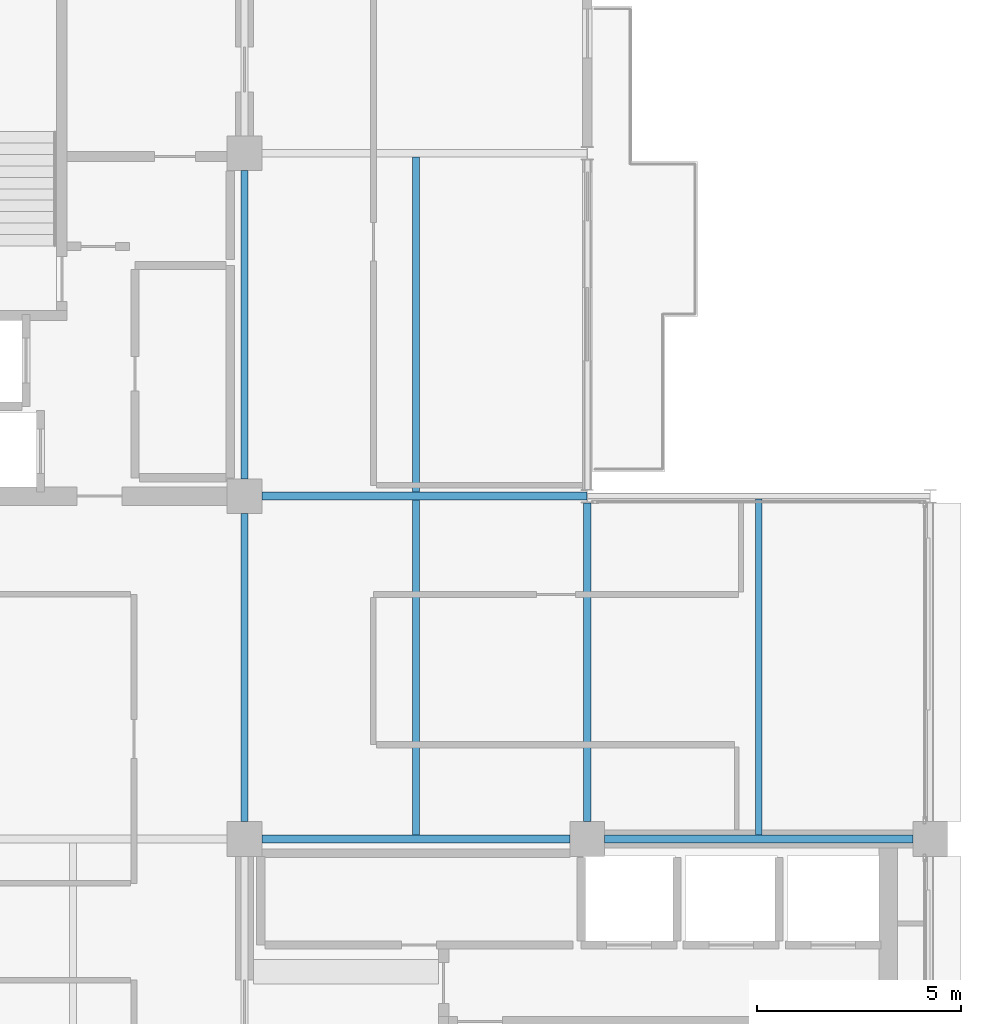
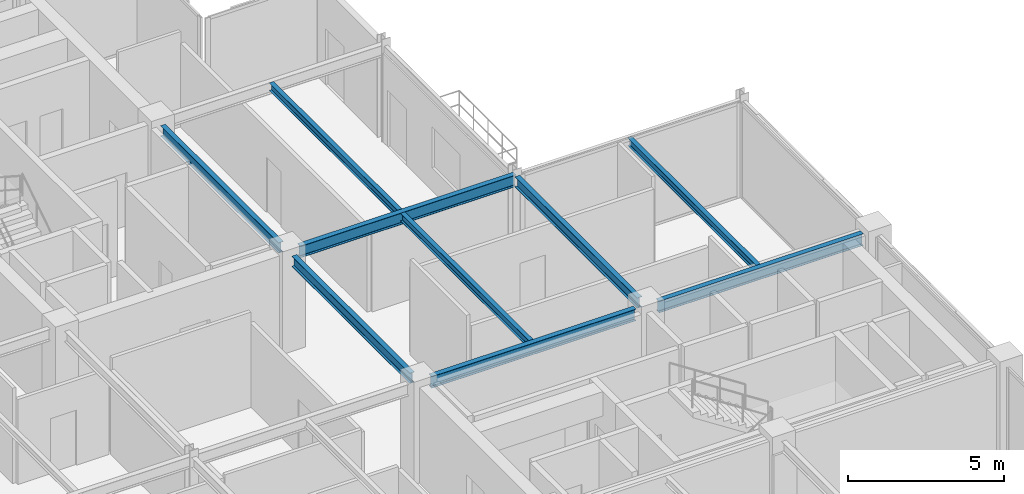
# One storey, part 12 of 25: 9 beams.
"""IFC4 building model written with IfcOpenShell, lengths in metres."""

from ifc_helpers import new_model, si_unit, direction, frame, origin, origin_2d, place, context, subcontext, project, spatial, i_section, extrude, material, material_profile, profile_set, type_object, element, save


model = new_model("IFC4")

# Units and contexts
model_context = context("Model", 3, precision=1e-05, world=origin(), true_north=direction((0.0, 1.0)))
body_context = subcontext(model_context, "Body", "Model", "MODEL_VIEW")
ifc_project = project(units=[si_unit("LENGTHUNIT", "METRE"), si_unit("AREAUNIT", "SQUARE_METRE"), si_unit("VOLUMEUNIT", "CUBIC_METRE"), si_unit("PLANEANGLEUNIT", "RADIAN"), si_unit("MASSUNIT", "GRAM", prefix="KILO")], contexts=[model_context])

# Site, building, storey
site_placement = place(None, origin())
site = spatial("IfcSite", under=ifc_project, at=site_placement, CompositionType="ELEMENT")
building_placement = place(site_placement, origin())
building = spatial("IfcBuilding", under=site, at=building_placement, Name="Nerrivon Quay Data Exchange", CompositionType="ELEMENT")
storey_placement = place(building_placement, frame((0.0, 0.0, 302.199951171875)))
storey = spatial("IfcBuildingStorey", under=building, at=storey_placement, Name="L72", CompositionType="ELEMENT", Elevation=302.199951171875)

# Beams
ifc_material = material(Name="Steel Grade 350", Category="steel")
ifc_material_profile_1 = material_profile(ifc_material, i_section(OverallWidth=0.18994140625, OverallDepth=0.4541015625, WebThickness=0.008544921875, FlangeThickness=0.0126953125, FilletRadius=0.011474609375, at=origin_2d()), Name="460UB67.1")
ifc_profile_set_1 = profile_set([ifc_material_profile_1], Name="Steel Grade 350")
beam_type_1 = type_object("IfcBeamType", Name="BM-G6-460UB67", PredefinedType="BEAM", material=ifc_profile_set_1)
beam_1_placement = place(storey_placement, frame((17.22509765625, 16.800048828125, 3.498046875), z_axis=(1.0, 0.0, 0.0), x_axis=(0.0, 1.0, 0.0)))
element("IfcBeam", 1, at=beam_1_placement, inside=storey, type_object=beam_type_1, Name="L72 EW Girder Y=16.8 (16.8..25.2)", PredefinedType="BEAM", context=body_context, shape_type="SweptSolid", body=[
    extrude(i_section(OverallWidth=0.18994140625, OverallDepth=0.4541015625, WebThickness=0.008544921875, FlangeThickness=0.0126953125, FilletRadius=0.011474609375, at=origin_2d()), origin(), (0.0, 0.0, 1.0), 7.5498046875),
])
beam_2_placement = place(storey_placement, frame((25.625, 16.800048828125, 3.498046875), z_axis=(1.0, 0.0, 0.0), x_axis=(0.0, 1.0, 0.0)))
element("IfcBeam", 2, at=beam_2_placement, inside=storey, type_object=beam_type_1, Name="L72 EW Girder Y=16.8 (25.2..33.6)", PredefinedType="BEAM", context=body_context, shape_type="SweptSolid", body=[
    extrude(i_section(OverallWidth=0.18994140625, OverallDepth=0.4541015625, WebThickness=0.008544921875, FlangeThickness=0.0126953125, FilletRadius=0.011474609375, at=origin_2d()), origin(), (0.0, 0.0, 1.0), 7.550048828125),
])
beam_3_placement = place(storey_placement, frame((17.22509765625, 25.199951171875, 3.498046875), z_axis=(1.0, 0.0, 0.0), x_axis=(0.0, 1.0, 0.0)))
element("IfcBeam", 3, at=beam_3_placement, inside=storey, type_object=beam_type_1, Name="L72 EW Girder Y=25.2 (16.8..25.2)", PredefinedType="BEAM", context=body_context, shape_type="SweptSolid", body=[
    extrude(i_section(OverallWidth=0.18994140625, OverallDepth=0.4541015625, WebThickness=0.008544921875, FlangeThickness=0.0126953125, FilletRadius=0.011474609375, at=origin_2d()), origin(), (0.0, 0.0, 1.0), 7.967041015625),
])
ifc_material_profile_2 = material_profile(ifc_material, i_section(OverallWidth=0.177978515625, OverallDepth=0.406005859375, WebThickness=0.0078125, FlangeThickness=0.0126953125, FilletRadius=0.011474609375, at=origin_2d()), Name="410UB59.7")
ifc_profile_set_2 = profile_set([ifc_material_profile_2], Name="Steel Grade 350")
beam_type_2 = type_object("IfcBeamType", Name="BM-J1-410UB60", PredefinedType="JOIST", material=ifc_profile_set_2)
beam_4_placement = place(storey_placement, frame((16.800048828125, 17.22509765625, 3.52197265625), z_axis=(0.0, 1.0, 0.0), x_axis=(-1.0, 0.0, 0.0)))
element("IfcBeam", 4, at=beam_4_placement, inside=storey, type_object=beam_type_2, Name="L72 NS Girder X=16.8 (16.8..25.2)", PredefinedType="JOIST", context=body_context, shape_type="SweptSolid", body=[
    extrude(i_section(OverallWidth=0.177978515625, OverallDepth=0.406005859375, WebThickness=0.0078125, FlangeThickness=0.0126953125, FilletRadius=0.011474609375, at=origin_2d()), origin(), (0.0, 0.0, 1.0), 7.5498046875),
])
beam_5_placement = place(storey_placement, frame((16.800048828125, 25.625, 3.52197265625), z_axis=(0.0, 1.0, 0.0), x_axis=(-1.0, 0.0, 0.0)))
element("IfcBeam", 5, at=beam_5_placement, inside=storey, type_object=beam_type_2, Name="L72 NS Girder X=16.8 (25.2..33.6)", PredefinedType="JOIST", context=body_context, shape_type="SweptSolid", body=[
    extrude(i_section(OverallWidth=0.177978515625, OverallDepth=0.406005859375, WebThickness=0.0078125, FlangeThickness=0.0126953125, FilletRadius=0.011474609375, at=origin_2d()), origin(), (0.0, 0.0, 1.0), 7.550048828125),
])
beam_6_placement = place(storey_placement, frame((25.199951171875, 17.22509765625, 3.52197265625), z_axis=(0.0, 1.0, 0.0), x_axis=(-1.0, 0.0, 0.0)))
element("IfcBeam", 6, at=beam_6_placement, inside=storey, type_object=beam_type_2, Name="L72 NS Girder X=25.2 (16.8..25.2)", PredefinedType="JOIST", context=body_context, shape_type="SweptSolid", body=[
    extrude(i_section(OverallWidth=0.177978515625, OverallDepth=0.406005859375, WebThickness=0.0078125, FlangeThickness=0.0126953125, FilletRadius=0.011474609375, at=origin_2d()), origin(), (0.0, 0.0, 1.0), 7.8115234375),
])
ifc_material_profile_3 = material_profile(ifc_material, i_section(OverallWidth=0.1650390625, OverallDepth=0.303955078125, WebThickness=0.006103515625, FlangeThickness=0.01025390625, FilletRadius=0.011474609375, at=origin_2d()), Name="310UB40.4")
ifc_profile_set_3 = profile_set([ifc_material_profile_3], Name="Steel Grade 350")
beam_type_3 = type_object("IfcBeamType", Name="BM-J6-310UB40", PredefinedType="JOIST", material=ifc_profile_set_3)
for number, where, z_axis, x_axis, name in (
    (7, (21.0, 16.89501953125, 3.572998046875), (0.0, 1.0, 0.0), (-1.0, 0.0, 0.0), "L72 Secondary Joist X=21.0 (16.8..25.2)"),
    (8, (21.0, 25.294921875, 3.572998046875), (0.0, 1.0, 0.0), (-1.0, 0.0, 0.0), "L72 Secondary Joist X=21.0 (25.2..33.6)"),
):
    element("IfcBeam", number, at=place(storey_placement, frame(where, z_axis=z_axis, x_axis=x_axis)), inside=storey, type_object=beam_type_3, Name=name, PredefinedType="JOIST", context=body_context, shape_type="SweptSolid", body=[
        extrude(i_section(OverallWidth=0.1650390625, OverallDepth=0.303955078125, WebThickness=0.006103515625, FlangeThickness=0.01025390625, FilletRadius=0.011474609375, at=origin_2d()), origin(), (0.0, 0.0, 1.0), 8.2099609375),
    ])
beam_7_placement = place(storey_placement, frame((29.39990234375, 16.89501953125, 3.572998046875), z_axis=(0.0, 1.0, 0.0), x_axis=(-1.0, 0.0, 0.0)))
element("IfcBeam", 9, at=beam_7_placement, inside=storey, type_object=beam_type_3, Name="L72 Secondary Joist X=29.4 (16.8..25.2)", PredefinedType="JOIST", context=body_context, shape_type="SweptSolid", body=[
    extrude(i_section(OverallWidth=0.1650390625, OverallDepth=0.303955078125, WebThickness=0.006103515625, FlangeThickness=0.01025390625, FilletRadius=0.011474609375, at=origin_2d()), origin(), (0.0, 0.0, 1.0), 8.22998046875),
])

save(model, "model.ifc")
